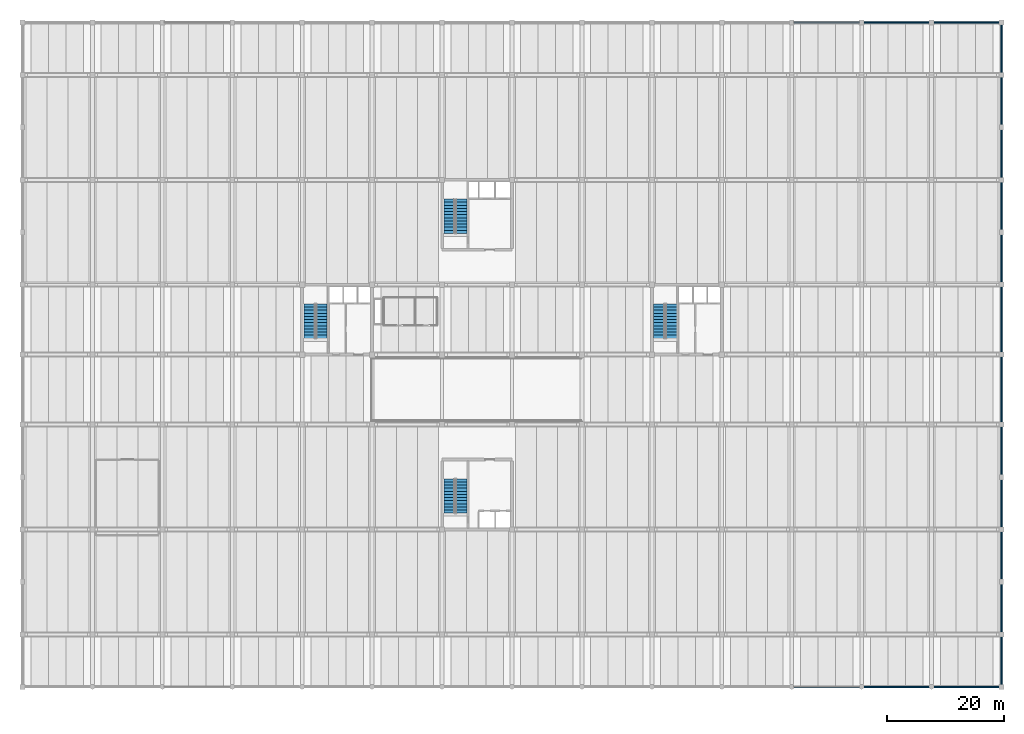
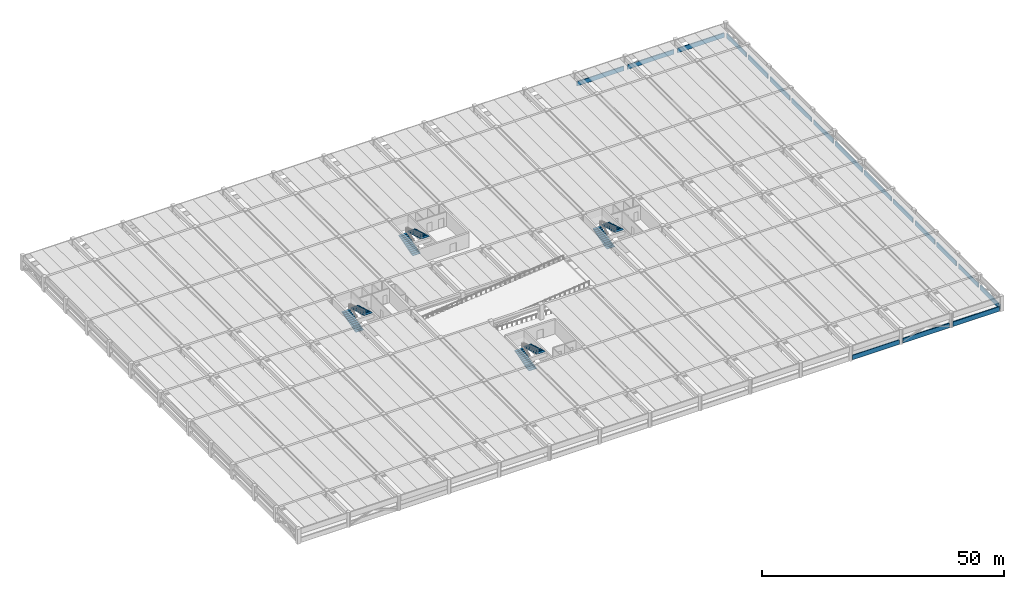
# One storey, part 12 of 19: 18 walls, 8 stair flights, 4 elements without a shape of their own.
"""IFC4 building model written with IfcOpenShell, lengths in metres."""

from ifc_helpers import new_model, si_unit, direction, frame, frame_2d, origin, place, context, subcontext, project, spatial, polyline, rectangle, outline, extrude, material, layer, layer_set, type_object, element, aggregate, save


model = new_model("IFC4")

# Units and contexts
model_context = context("Model", 3, precision=1e-05, world=origin(), true_north=direction((0.0, 1.0)))
body_context = subcontext(model_context, "Body", "Model", "MODEL_VIEW")
ifc_project = project(units=[si_unit("LENGTHUNIT", "METRE"), si_unit("AREAUNIT", "SQUARE_METRE"), si_unit("VOLUMEUNIT", "CUBIC_METRE"), si_unit("PLANEANGLEUNIT", "RADIAN"), si_unit("MASSUNIT", "GRAM", prefix="KILO")], contexts=[model_context])

# Site, building, storey
site_placement = place(None, origin())
site = spatial("IfcSite", under=ifc_project, at=site_placement, CompositionType="ELEMENT")
building_placement = place(site_placement, origin())
building = spatial("IfcBuilding", under=site, at=building_placement, Name="Girod Span Mobility Hub", CompositionType="ELEMENT")
storey_placement = place(building_placement, frame((0.0, 0.0, 13.39990234375)))
storey = spatial("IfcBuildingStorey", under=building, at=storey_placement, Name="L03", CompositionType="ELEMENT", Elevation=13.39990234375)

# Walls
ifc_material_1 = material(Name="Precast Architectural Concrete C40/50", Category="concrete")
ifc_layer = layer(ifc_material_1, 0.239990234375)
ifc_layer_set = layer_set([ifc_layer], Name="Precast Architectural Concrete C40/50")
wall_type = type_object("IfcWallType", Name="W-PAR-240", PredefinedType="PARAPET", material=ifc_layer_set)
for number, where, z_axis, x_axis, name in (
    (1, (132.423095703125, 0.0, 0.0), (0.0, 0.0, 1.0), (1.0, 0.0, 0.0), "Precast Parking Barrier Parapet S-12 L03"),
    (2, (144.423095703125, 0.0, 0.0), (0.0, 0.0, 1.0), (1.0, 0.0, 0.0), "Precast Parking Barrier Parapet S-13 L03"),
    (3, (156.423095703125, 0.0, 0.0), (0.0, 0.0, 1.0), (1.0, 0.0, 0.0), "Precast Parking Barrier Parapet S-14 L03"),
    (4, (132.423095703125, 114.0, 0.0), (0.0, 0.0, 1.0), (1.0, 0.0, 0.0), "Precast Parking Barrier Parapet N-12 L03"),
    (5, (144.423095703125, 114.0, 0.0), (0.0, 0.0, 1.0), (1.0, 0.0, 0.0), "Precast Parking Barrier Parapet N-13 L03"),
    (6, (156.423095703125, 114.0, 0.0), (0.0, 0.0, 1.0), (1.0, 0.0, 0.0), "Precast Parking Barrier Parapet N-14 L03"),
):
    element("IfcWall", number, at=place(storey_placement, frame(where, z_axis=z_axis, x_axis=x_axis)), inside=storey, type_object=wall_type, Name=name, PredefinedType="PARAPET", context=body_context, shape_type="SweptSolid", body=[
        extrude(rectangle(XDim=11.15380859375, YDim=0.239990234375, at=frame_2d((5.576904296875, 0.0))), origin(), (0.0, 0.0, 1.0), 1.150146484375),
    ])
wall_1_placement = place(storey_placement, frame((168.0, 0.423095703125, 0.0), z_axis=(0.0, 0.0, 1.0), x_axis=(0.0, 1.0, 0.0)))
element("IfcWall", 7, at=wall_1_placement, inside=storey, type_object=wall_type, Name="Precast Side Barrier Parapet E-A-1 L03", PredefinedType="PARAPET", context=body_context, shape_type="SweptSolid", body=[
    extrude(rectangle(XDim=8.15380859375, YDim=0.239990234375, at=frame_2d((4.076904296875, 0.0))), origin(), (0.0, 0.0, 1.0), 1.150146484375),
])
for number, where, z_axis, x_axis, name in (
    (8, (168.0, 9.423095703125, 0.0), (0.0, 0.0, 1.0), (0.0, 1.0, 0.0), "Precast Side Barrier Parapet E-B-1 L03"),
    (9, (168.0, 18.472900390625, 0.0), (0.0, 0.0, 1.0), (0.0, 1.0, 0.0), "Precast Side Barrier Parapet E-B-2 L03"),
    (10, (168.0, 27.423095703125, 0.0), (0.0, 0.0, 1.0), (0.0, 1.0, 0.0), "Precast Side Barrier Parapet E-C-1 L03"),
    (11, (168.0, 36.472900390625, 0.0), (0.0, 0.0, 1.0), (0.0, 1.0, 0.0), "Precast Side Barrier Parapet E-C-2 L03"),
):
    element("IfcWall", number, at=place(storey_placement, frame(where, z_axis=z_axis, x_axis=x_axis)), inside=storey, type_object=wall_type, Name=name, PredefinedType="PARAPET", context=body_context, shape_type="SweptSolid", body=[
        extrude(rectangle(XDim=8.10400390625, YDim=0.239990234375, at=frame_2d((4.052001953125, 0.0))), origin(), (0.0, 0.0, 1.0), 1.150146484375),
    ])
for number, where, z_axis, x_axis, name in (
    (12, (168.0, 45.423095703125, 0.0), (0.0, 0.0, 1.0), (0.0, 1.0, 0.0), "Precast Side Barrier Parapet E-D-1 L03"),
    (13, (168.0, 57.423095703125, 0.0), (0.0, 0.0, 1.0), (0.0, 1.0, 0.0), "Precast Side Barrier Parapet E-E-1 L03"),
):
    element("IfcWall", number, at=place(storey_placement, frame(where, z_axis=z_axis, x_axis=x_axis)), inside=storey, type_object=wall_type, Name=name, PredefinedType="PARAPET", context=body_context, shape_type="SweptSolid", body=[
        extrude(rectangle(XDim=11.15380859375, YDim=0.239990234375, at=frame_2d((5.576904296875, 0.0))), origin(), (0.0, 0.0, 1.0), 1.150146484375),
    ])
for number, where, z_axis, x_axis, name in (
    (14, (168.0, 69.423095703125, 0.0), (0.0, 0.0, 1.0), (0.0, 1.0, 0.0), "Precast Side Barrier Parapet E-F-1 L03"),
    (15, (168.0, 78.472900390625, 0.0), (0.0, 0.0, 1.0), (0.0, 1.0, 0.0), "Precast Side Barrier Parapet E-F-2 L03"),
    (16, (168.0, 87.423095703125, 0.0), (0.0, 0.0, 1.0), (0.0, 1.0, 0.0), "Precast Side Barrier Parapet E-G-1 L03"),
    (17, (168.0, 96.472900390625, 0.0), (0.0, 0.0, 1.0), (0.0, 1.0, 0.0), "Precast Side Barrier Parapet E-G-2 L03"),
):
    element("IfcWall", number, at=place(storey_placement, frame(where, z_axis=z_axis, x_axis=x_axis)), inside=storey, type_object=wall_type, Name=name, PredefinedType="PARAPET", context=body_context, shape_type="SweptSolid", body=[
        extrude(rectangle(XDim=8.10400390625, YDim=0.239990234375, at=frame_2d((4.052001953125, 0.0))), origin(), (0.0, 0.0, 1.0), 1.150146484375),
    ])
wall_2_placement = place(storey_placement, frame((168.0, 105.423095703125, 0.0), z_axis=(0.0, 0.0, 1.0), x_axis=(0.0, 1.0, 0.0)))
element("IfcWall", 18, at=wall_2_placement, inside=storey, type_object=wall_type, Name="Precast Side Barrier Parapet E-H-1 L03", PredefinedType="PARAPET", context=body_context, shape_type="SweptSolid", body=[
    extrude(rectangle(XDim=8.15380859375, YDim=0.239990234375, at=frame_2d((4.076904296875, 0.0))), origin(), (0.0, 0.0, 1.0), 1.150146484375),
])

# Stair, stair flights
ifc_material_2 = material(Name="Concrete C40/50", Category="concrete")
stair_type = type_object("IfcStairType", Name="STR-3800-W1860", PredefinedType="HALF_TURN_STAIR", material=ifc_material_2)
stair_1_placement = place(storey_placement, origin())
stair_1 = element("IfcStair", 19, at=stair_1_placement, inside=storey, type_object=stair_type, Name="Exit Stair ST-1 L03", PredefinedType="HALF_TURN_STAIR")
ifc_material_3 = material(Name="Concrete C40/50", Category="concrete")
stair_flight_type = type_object("IfcStairFlightType", Name="STF-1900-W1860", PredefinedType="STRAIGHT", material=ifc_material_3)
stair_flight_1_placement = place(storey_placement, frame((49.25, 59.81005859375, 0.0), z_axis=(0.0, 0.0, 1.0), x_axis=(0.0, 1.0, 0.0)))
stair_flight_1 = element("IfcStairFlight", 20, at=stair_flight_1_placement, type_object=stair_flight_type, Name="Stair ST-1 Flight 1 L03", NumberOfRisers=12, NumberOfTreads=11, PredefinedType="STRAIGHT", RiserHeight=0.15833, TreadLength=0.53455, context=body_context, shape_type="SweptSolid", body=[
    extrude(outline(polyline([(0.0, 0.0), (0.0, 0.158447265625), (0.53466796875, 0.158447265625), (0.53466796875, 0.316650390625), (1.069091796875, 0.316650390625), (1.069091796875, 0.47509765625), (1.603759765625, 0.47509765625), (1.603759765625, 0.63330078125), (2.13818359375, 0.63330078125), (2.13818359375, 0.791748046875), (2.6728515625, 0.791748046875), (2.6728515625, 0.949951171875), (3.207275390625, 0.949951171875), (3.207275390625, 1.1083984375), (3.741943359375, 1.1083984375), (3.741943359375, 1.2666015625), (4.2763671875, 1.2666015625), (4.2763671875, 1.425048828125), (4.81103515625, 1.425048828125), (4.81103515625, 1.583251953125), (5.345458984375, 1.583251953125), (5.345458984375, 1.74169921875), (5.880126953125, 1.74169921875), (5.880126953125, 1.89990234375), (5.880126953125, 1.54345703125), (0.668701171875, 0.0), (0.0, 0.0)])), frame((0.0, 0.93017578125, 0.0), z_axis=(0.0, -1.0, 0.0), x_axis=(1.0, 0.0, 0.0)), (0.0, 0.0, 1.0), 1.860107421875),
])
stair_flight_2_placement = place(storey_placement, frame((51.35009765625, 65.68994140625, 1.900146484375), z_axis=(0.0, 0.0, 1.0), x_axis=(0.0, -1.0, 0.0)))
stair_flight_2 = element("IfcStairFlight", 21, at=stair_flight_2_placement, type_object=stair_flight_type, Name="Stair ST-1 Flight 2 L03", NumberOfRisers=12, NumberOfTreads=11, PredefinedType="STRAIGHT", RiserHeight=0.15833, TreadLength=0.53455, context=body_context, shape_type="SweptSolid", body=[
    extrude(outline(polyline([(0.0, 0.0), (0.0, 0.158447265625), (0.53466796875, 0.158447265625), (0.53466796875, 0.316650390625), (1.069091796875, 0.316650390625), (1.069091796875, 0.47509765625), (1.603759765625, 0.47509765625), (1.603759765625, 0.63330078125), (2.13818359375, 0.63330078125), (2.13818359375, 0.791748046875), (2.6728515625, 0.791748046875), (2.6728515625, 0.949951171875), (3.207275390625, 0.949951171875), (3.207275390625, 1.1083984375), (3.741943359375, 1.1083984375), (3.741943359375, 1.2666015625), (4.2763671875, 1.2666015625), (4.2763671875, 1.425048828125), (4.81103515625, 1.425048828125), (4.81103515625, 1.583251953125), (5.345458984375, 1.583251953125), (5.345458984375, 1.74169921875), (5.880126953125, 1.74169921875), (5.880126953125, 1.89990234375), (5.880126953125, 1.54345703125), (0.668701171875, 0.0), (0.0, 0.0)])), frame((0.0, 0.93017578125, 0.0), z_axis=(0.0, -1.0, 0.0), x_axis=(1.0, 0.0, 0.0)), (0.0, 0.0, 1.0), 1.860107421875),
])
aggregate(stair_1, [stair_flight_1, stair_flight_2])

stair_2_placement = place(storey_placement, origin())
stair_2 = element("IfcStair", 22, at=stair_2_placement, inside=storey, type_object=stair_type, Name="Exit Stair ST-2 L03", PredefinedType="HALF_TURN_STAIR")
stair_flight_3_placement = place(storey_placement, frame((109.25, 59.81005859375, 0.0), z_axis=(0.0, 0.0, 1.0), x_axis=(0.0, 1.0, 0.0)))
stair_flight_3 = element("IfcStairFlight", 23, at=stair_flight_3_placement, type_object=stair_flight_type, Name="Stair ST-2 Flight 1 L03", NumberOfRisers=12, NumberOfTreads=11, PredefinedType="STRAIGHT", RiserHeight=0.15833, TreadLength=0.53455, context=body_context, shape_type="SweptSolid", body=[
    extrude(outline(polyline([(0.0, 0.0), (0.0, 0.158447265625), (0.53466796875, 0.158447265625), (0.53466796875, 0.316650390625), (1.069091796875, 0.316650390625), (1.069091796875, 0.47509765625), (1.603759765625, 0.47509765625), (1.603759765625, 0.63330078125), (2.13818359375, 0.63330078125), (2.13818359375, 0.791748046875), (2.6728515625, 0.791748046875), (2.6728515625, 0.949951171875), (3.207275390625, 0.949951171875), (3.207275390625, 1.1083984375), (3.741943359375, 1.1083984375), (3.741943359375, 1.2666015625), (4.2763671875, 1.2666015625), (4.2763671875, 1.425048828125), (4.81103515625, 1.425048828125), (4.81103515625, 1.583251953125), (5.345458984375, 1.583251953125), (5.345458984375, 1.74169921875), (5.880126953125, 1.74169921875), (5.880126953125, 1.89990234375), (5.880126953125, 1.54345703125), (0.668701171875, 0.0), (0.0, 0.0)])), frame((0.0, 0.93017578125, 0.0), z_axis=(0.0, -1.0, 0.0), x_axis=(1.0, 0.0, 0.0)), (0.0, 0.0, 1.0), 1.860107421875),
])
stair_flight_4_placement = place(storey_placement, frame((111.35009765625, 65.68994140625, 1.900146484375), z_axis=(0.0, 0.0, 1.0), x_axis=(0.0, -1.0, 0.0)))
stair_flight_4 = element("IfcStairFlight", 24, at=stair_flight_4_placement, type_object=stair_flight_type, Name="Stair ST-2 Flight 2 L03", NumberOfRisers=12, NumberOfTreads=11, PredefinedType="STRAIGHT", RiserHeight=0.15833, TreadLength=0.53455, context=body_context, shape_type="SweptSolid", body=[
    extrude(outline(polyline([(0.0, 0.0), (0.0, 0.158447265625), (0.53466796875, 0.158447265625), (0.53466796875, 0.316650390625), (1.069091796875, 0.316650390625), (1.069091796875, 0.47509765625), (1.603759765625, 0.47509765625), (1.603759765625, 0.63330078125), (2.13818359375, 0.63330078125), (2.13818359375, 0.791748046875), (2.6728515625, 0.791748046875), (2.6728515625, 0.949951171875), (3.207275390625, 0.949951171875), (3.207275390625, 1.1083984375), (3.741943359375, 1.1083984375), (3.741943359375, 1.2666015625), (4.2763671875, 1.2666015625), (4.2763671875, 1.425048828125), (4.81103515625, 1.425048828125), (4.81103515625, 1.583251953125), (5.345458984375, 1.583251953125), (5.345458984375, 1.74169921875), (5.880126953125, 1.74169921875), (5.880126953125, 1.89990234375), (5.880126953125, 1.54345703125), (0.668701171875, 0.0), (0.0, 0.0)])), frame((0.0, 0.93017578125, 0.0), z_axis=(0.0, -1.0, 0.0), x_axis=(1.0, 0.0, 0.0)), (0.0, 0.0, 1.0), 1.860107421875),
])
aggregate(stair_2, [stair_flight_3, stair_flight_4])

stair_3_placement = place(storey_placement, origin())
stair_3 = element("IfcStair", 25, at=stair_3_placement, inside=storey, type_object=stair_type, Name="Exit Stair ST-3 L03", PredefinedType="HALF_TURN_STAIR")
stair_flight_5_placement = place(storey_placement, frame((73.25, 29.81005859375, 0.0), z_axis=(0.0, 0.0, 1.0), x_axis=(0.0, 1.0, 0.0)))
stair_flight_5 = element("IfcStairFlight", 26, at=stair_flight_5_placement, type_object=stair_flight_type, Name="Stair ST-3 Flight 1 L03", NumberOfRisers=12, NumberOfTreads=11, PredefinedType="STRAIGHT", RiserHeight=0.15833, TreadLength=0.53455, context=body_context, shape_type="SweptSolid", body=[
    extrude(outline(polyline([(0.0, 0.0), (0.0, 0.158447265625), (0.53466796875, 0.158447265625), (0.53466796875, 0.316650390625), (1.069091796875, 0.316650390625), (1.069091796875, 0.47509765625), (1.603759765625, 0.47509765625), (1.603759765625, 0.63330078125), (2.13818359375, 0.63330078125), (2.13818359375, 0.791748046875), (2.6728515625, 0.791748046875), (2.6728515625, 0.949951171875), (3.207275390625, 0.949951171875), (3.207275390625, 1.1083984375), (3.741943359375, 1.1083984375), (3.741943359375, 1.2666015625), (4.2763671875, 1.2666015625), (4.2763671875, 1.425048828125), (4.81103515625, 1.425048828125), (4.81103515625, 1.583251953125), (5.345458984375, 1.583251953125), (5.345458984375, 1.74169921875), (5.880126953125, 1.74169921875), (5.880126953125, 1.89990234375), (5.880126953125, 1.54345703125), (0.668701171875, 0.0), (0.0, 0.0)])), frame((0.0, 0.93017578125, 0.0), z_axis=(0.0, -1.0, 0.0), x_axis=(1.0, 0.0, 0.0)), (0.0, 0.0, 1.0), 1.860107421875),
])
stair_flight_6_placement = place(storey_placement, frame((75.35009765625, 35.68994140625, 1.900146484375), z_axis=(0.0, 0.0, 1.0), x_axis=(0.0, -1.0, 0.0)))
stair_flight_6 = element("IfcStairFlight", 27, at=stair_flight_6_placement, type_object=stair_flight_type, Name="Stair ST-3 Flight 2 L03", NumberOfRisers=12, NumberOfTreads=11, PredefinedType="STRAIGHT", RiserHeight=0.15833, TreadLength=0.53455, context=body_context, shape_type="SweptSolid", body=[
    extrude(outline(polyline([(0.0, 0.0), (0.0, 0.158447265625), (0.53466796875, 0.158447265625), (0.53466796875, 0.316650390625), (1.069091796875, 0.316650390625), (1.069091796875, 0.47509765625), (1.603759765625, 0.47509765625), (1.603759765625, 0.63330078125), (2.13818359375, 0.63330078125), (2.13818359375, 0.791748046875), (2.6728515625, 0.791748046875), (2.6728515625, 0.949951171875), (3.207275390625, 0.949951171875), (3.207275390625, 1.1083984375), (3.741943359375, 1.1083984375), (3.741943359375, 1.2666015625), (4.2763671875, 1.2666015625), (4.2763671875, 1.425048828125), (4.81103515625, 1.425048828125), (4.81103515625, 1.583251953125), (5.345458984375, 1.583251953125), (5.345458984375, 1.74169921875), (5.880126953125, 1.74169921875), (5.880126953125, 1.89990234375), (5.880126953125, 1.54345703125), (0.668701171875, 0.0), (0.0, 0.0)])), frame((0.0, 0.93017578125, 0.0), z_axis=(0.0, -1.0, 0.0), x_axis=(1.0, 0.0, 0.0)), (0.0, 0.0, 1.0), 1.860107421875),
])
aggregate(stair_3, [stair_flight_5, stair_flight_6])

stair_4_placement = place(storey_placement, origin())
stair_4 = element("IfcStair", 28, at=stair_4_placement, inside=storey, type_object=stair_type, Name="Exit Stair ST-4 L03", PredefinedType="HALF_TURN_STAIR")
stair_flight_7_placement = place(storey_placement, frame((73.25, 77.81005859375, 0.0), z_axis=(0.0, 0.0, 1.0), x_axis=(0.0, 1.0, 0.0)))
stair_flight_7 = element("IfcStairFlight", 29, at=stair_flight_7_placement, type_object=stair_flight_type, Name="Stair ST-4 Flight 1 L03", NumberOfRisers=12, NumberOfTreads=11, PredefinedType="STRAIGHT", RiserHeight=0.15833, TreadLength=0.53455, context=body_context, shape_type="SweptSolid", body=[
    extrude(outline(polyline([(0.0, 0.0), (0.0, 0.158447265625), (0.53466796875, 0.158447265625), (0.53466796875, 0.316650390625), (1.069091796875, 0.316650390625), (1.069091796875, 0.47509765625), (1.603759765625, 0.47509765625), (1.603759765625, 0.63330078125), (2.13818359375, 0.63330078125), (2.13818359375, 0.791748046875), (2.6728515625, 0.791748046875), (2.6728515625, 0.949951171875), (3.207275390625, 0.949951171875), (3.207275390625, 1.1083984375), (3.741943359375, 1.1083984375), (3.741943359375, 1.2666015625), (4.2763671875, 1.2666015625), (4.2763671875, 1.425048828125), (4.81103515625, 1.425048828125), (4.81103515625, 1.583251953125), (5.345458984375, 1.583251953125), (5.345458984375, 1.74169921875), (5.880126953125, 1.74169921875), (5.880126953125, 1.89990234375), (5.880126953125, 1.54345703125), (0.668701171875, 0.0), (0.0, 0.0)])), frame((0.0, 0.93017578125, 0.0), z_axis=(0.0, -1.0, 0.0), x_axis=(1.0, 0.0, 0.0)), (0.0, 0.0, 1.0), 1.860107421875),
])
stair_flight_8_placement = place(storey_placement, frame((75.35009765625, 83.68994140625, 1.900146484375), z_axis=(0.0, 0.0, 1.0), x_axis=(0.0, -1.0, 0.0)))
stair_flight_8 = element("IfcStairFlight", 30, at=stair_flight_8_placement, type_object=stair_flight_type, Name="Stair ST-4 Flight 2 L03", NumberOfRisers=12, NumberOfTreads=11, PredefinedType="STRAIGHT", RiserHeight=0.15833, TreadLength=0.53455, context=body_context, shape_type="SweptSolid", body=[
    extrude(outline(polyline([(0.0, 0.0), (0.0, 0.158447265625), (0.53466796875, 0.158447265625), (0.53466796875, 0.316650390625), (1.069091796875, 0.316650390625), (1.069091796875, 0.47509765625), (1.603759765625, 0.47509765625), (1.603759765625, 0.63330078125), (2.13818359375, 0.63330078125), (2.13818359375, 0.791748046875), (2.6728515625, 0.791748046875), (2.6728515625, 0.949951171875), (3.207275390625, 0.949951171875), (3.207275390625, 1.1083984375), (3.741943359375, 1.1083984375), (3.741943359375, 1.2666015625), (4.2763671875, 1.2666015625), (4.2763671875, 1.425048828125), (4.81103515625, 1.425048828125), (4.81103515625, 1.583251953125), (5.345458984375, 1.583251953125), (5.345458984375, 1.74169921875), (5.880126953125, 1.74169921875), (5.880126953125, 1.89990234375), (5.880126953125, 1.54345703125), (0.668701171875, 0.0), (0.0, 0.0)])), frame((0.0, 0.93017578125, 0.0), z_axis=(0.0, -1.0, 0.0), x_axis=(1.0, 0.0, 0.0)), (0.0, 0.0, 1.0), 1.860107421875),
])
aggregate(stair_4, [stair_flight_7, stair_flight_8])

save(model, "model.ifc")
